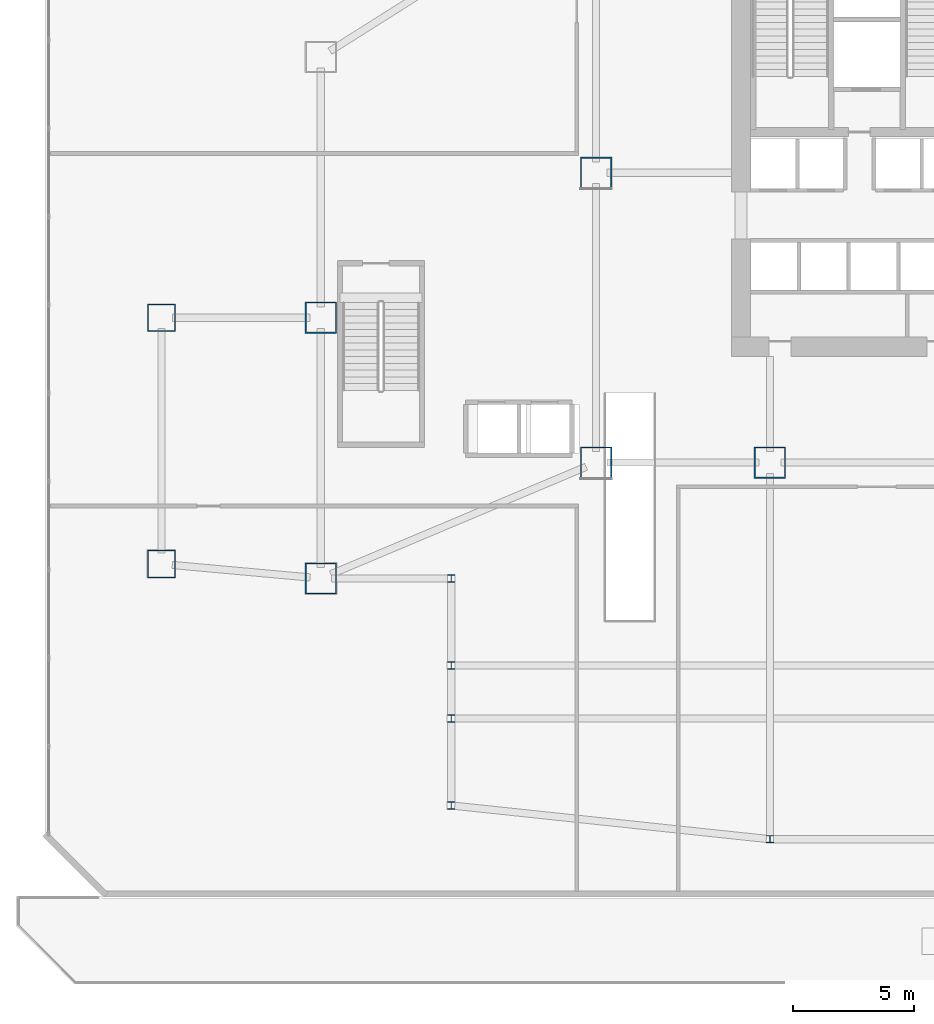
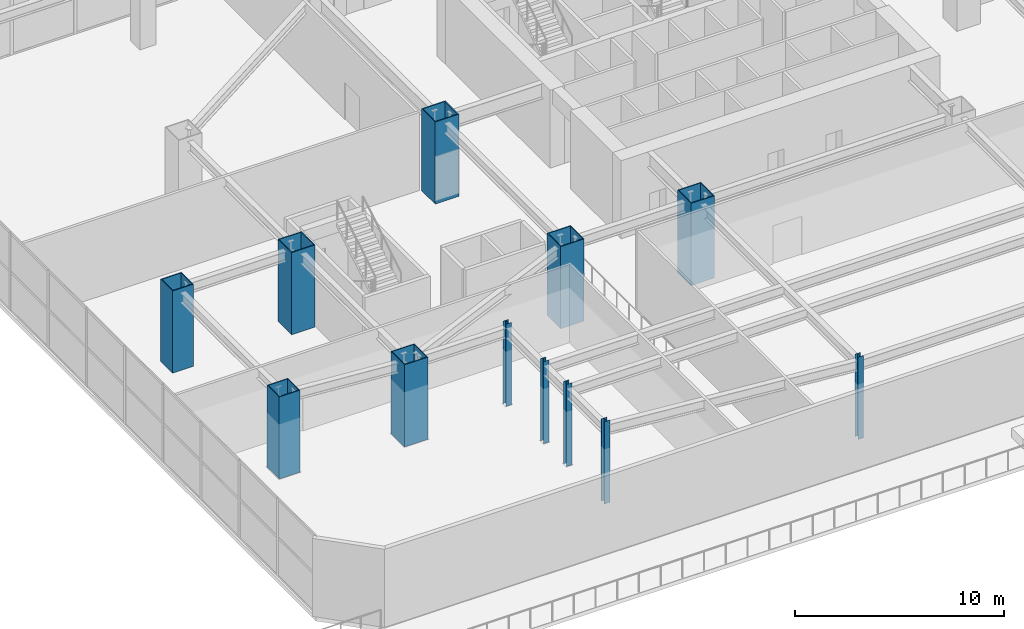
# One storey, part 1 of 31: 12 columns.
"""IFC4 building model written with IfcOpenShell, lengths in metres."""

from ifc_helpers import new_model, si_unit, direction, frame, origin, origin_2d, place, context, subcontext, project, spatial, hollow_rectangle, i_section, extrude, material, material_profile, profile_set, type_object, element, save


model = new_model("IFC4")

# Units and contexts
model_context = context("Model", 3, precision=1e-05, world=origin(), true_north=direction((0.0, 1.0)))
body_context = subcontext(model_context, "Body", "Model", "MODEL_VIEW")
ifc_project = project(units=[si_unit("LENGTHUNIT", "METRE"), si_unit("AREAUNIT", "SQUARE_METRE"), si_unit("VOLUMEUNIT", "CUBIC_METRE"), si_unit("PLANEANGLEUNIT", "RADIAN"), si_unit("MASSUNIT", "GRAM", prefix="KILO")], contexts=[model_context])

# Site, building, storey
site_placement = place(None, origin())
site = spatial("IfcSite", under=ifc_project, at=site_placement, CompositionType="ELEMENT")
building_placement = place(site_placement, origin())
building = spatial("IfcBuilding", under=site, at=building_placement, Name="Haolan Belvedere Tower", CompositionType="ELEMENT")
storey_placement = place(building_placement, frame((0.0, 0.0, 5.39990234375)))
storey = spatial("IfcBuildingStorey", under=building, at=storey_placement, Name="L01", CompositionType="ELEMENT", Elevation=5.39990234375)

# Columns
ifc_material = material(Name="Steel Q355B", Category="steel")
ifc_material_profile_1 = material_profile(ifc_material, hollow_rectangle(XDim=1.14990234375, YDim=1.14990234375, WallThickness=0.0419921875, at=origin_2d()), Name="Steel Q355B")
ifc_profile_set_1 = profile_set([ifc_material_profile_1], Name="Steel Q355B")
column_type_1 = type_object("IfcColumnType", Name="COL-BOX1150x1150x42", PredefinedType="COLUMN", material=ifc_profile_set_1)
for number, where, z_axis, x_axis, name in (
    (1, (6.0, 17.39990234375, 0.0), (0.0, 0.0, 1.0), (1.0, 0.0, 0.0), "L01 column MC-T1-SW (BOX1150x1150x42)"),
    (2, (6.0, 27.60009765625, 0.0), (0.0, 0.0, 1.0), (1.0, 0.0, 0.0), "L01 column MC-T1-NW (BOX1150x1150x42)"),
):
    element("IfcColumn", number, at=place(storey_placement, frame(where, z_axis=z_axis, x_axis=x_axis)), inside=storey, type_object=column_type_1, Name=name, PredefinedType="COLUMN", context=body_context, shape_type="SweptSolid", body=[
        extrude(hollow_rectangle(XDim=1.14990234375, YDim=1.14990234375, WallThickness=0.0419921875, at=origin_2d()), origin(), (0.0, 0.0, 1.0), 4.800048828125),
    ])
ifc_material_profile_2 = material_profile(ifc_material, hollow_rectangle(XDim=1.300048828125, YDim=1.300048828125, WallThickness=0.048095703125, at=origin_2d()), Name="Steel Q355B")
ifc_profile_set_2 = profile_set([ifc_material_profile_2], Name="Steel Q355B")
column_type_2 = type_object("IfcColumnType", Name="COL-BOX1300x1300x48", PredefinedType="COLUMN", material=ifc_profile_set_2)
for number, where, z_axis, x_axis, name in (
    (3, (24.0, 21.60009765625, 0.0), (0.0, 0.0, 1.0), (1.0, 0.0, 0.0), "L01 column MC-T3-SW (BOX1300x1300x48)"),
    (4, (24.0, 33.60009765625, 0.0), (0.0, 0.0, 1.0), (1.0, 0.0, 0.0), "L01 column MC-T3-MW (BOX1300x1300x48)"),
    (5, (31.199951171875, 21.60009765625, 0.0), (0.0, 0.0, 1.0), (1.0, 0.0, 0.0), "L01 column MC-T3-S1 (BOX1300x1300x48)"),
    (6, (12.60009765625, 16.800048828125, 0.0), (0.0, 0.0, 1.0), (1.0, 0.0, 0.0), "L01 column MC-T2-SW (BOX1300x1300x48)"),
    (7, (12.60009765625, 27.60009765625, 0.0), (0.0, 0.0, 1.0), (1.0, 0.0, 0.0), "L01 column MC-T2-MW (BOX1300x1300x48)"),
):
    element("IfcColumn", number, at=place(storey_placement, frame(where, z_axis=z_axis, x_axis=x_axis)), inside=storey, type_object=column_type_2, Name=name, PredefinedType="COLUMN", context=body_context, shape_type="SweptSolid", body=[
        extrude(hollow_rectangle(XDim=1.300048828125, YDim=1.300048828125, WallThickness=0.048095703125, at=origin_2d()), origin(), (0.0, 0.0, 1.0), 4.800048828125),
    ])
ifc_material_profile_3 = material_profile(ifc_material, i_section(OverallWidth=0.300048828125, OverallDepth=0.300048828125, WebThickness=0.010009765625, FlangeThickness=0.014892578125, FilletRadius=0.01806640625, at=origin_2d()), Name="Steel Q355B")
ifc_profile_set_3 = profile_set([ifc_material_profile_3], Name="Steel Q355B")
column_type_3 = type_object("IfcColumnType", Name="COL-HW300x300x10x15", PredefinedType="COLUMN", material=ifc_profile_set_3)
for number, where, z_axis, x_axis, name in (
    (8, (18.0, 7.39990234375, 0.0), (0.0, 0.0, 1.0), (1.0, 0.0, 0.0), "L01 column PC-SW-1 (HW300x300x10x15)"),
    (9, (31.199951171875, 6.0, 0.0), (0.0, 0.0, 1.0), (1.0, 0.0, 0.0), "L01 column PC-SM-1 (HW300x300x10x15)"),
    (10, (18.0, 11.0, 0.0), (0.0, 0.0, 1.0), (1.0, 0.0, 0.0), "L01 column PC-CS2-W (HW300x300x10x15)"),
    (11, (18.0, 13.199951171875, 0.0), (0.0, 0.0, 1.0), (1.0, 0.0, 0.0), "L01 column PC-CS3-W (HW300x300x10x15)"),
    (12, (18.0, 16.800048828125, 0.0), (0.0, 0.0, 1.0), (1.0, 0.0, 0.0), "L01 column PC-CS4-W (HW300x300x10x15)"),
):
    element("IfcColumn", number, at=place(storey_placement, frame(where, z_axis=z_axis, x_axis=x_axis)), inside=storey, type_object=column_type_3, Name=name, PredefinedType="COLUMN", context=body_context, shape_type="SweptSolid", body=[
        extrude(i_section(OverallWidth=0.300048828125, OverallDepth=0.300048828125, WebThickness=0.010009765625, FlangeThickness=0.014892578125, FilletRadius=0.01806640625, at=origin_2d()), origin(), (0.0, 0.0, 1.0), 4.800048828125),
    ])

save(model, "model.ifc")
